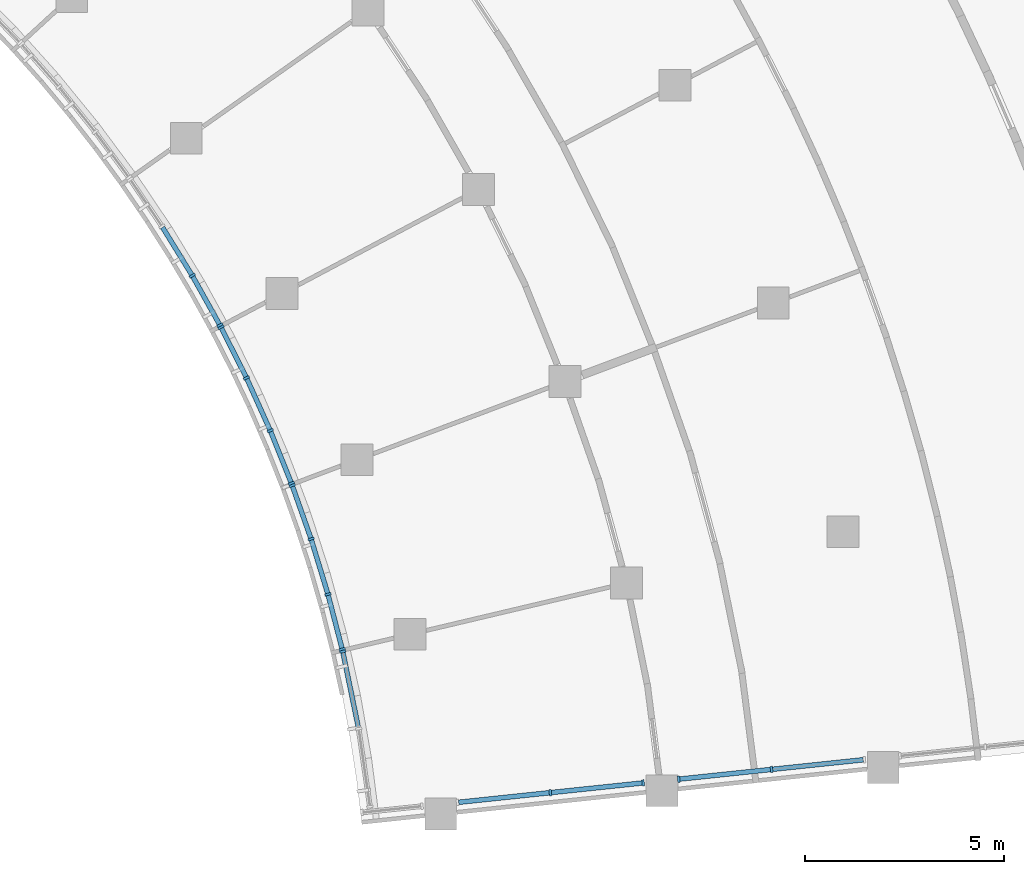
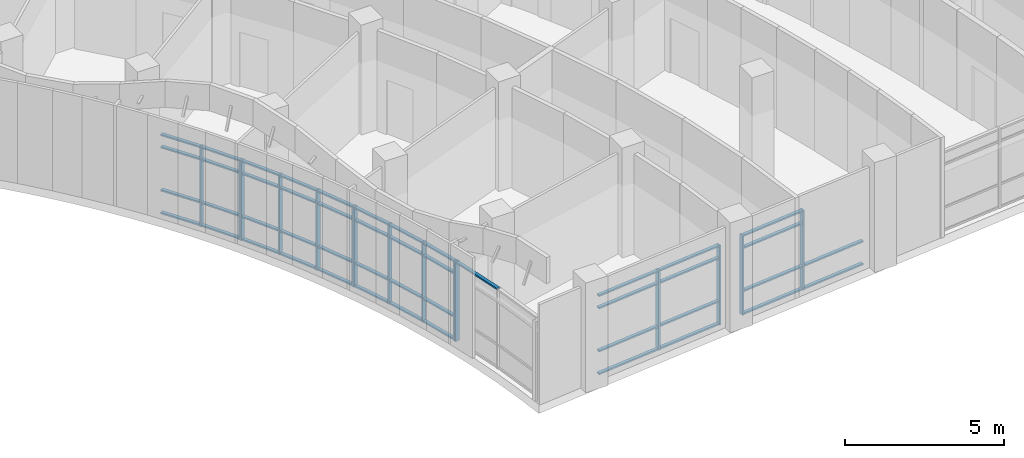
# One storey, part 12 of 109: 62 members, 6 elements without a shape of their own.
"""IFC4 building model written with IfcOpenShell, lengths in metres."""

from ifc_helpers import new_model, si_unit, direction, frame, origin, origin_2d, place, context, subcontext, project, spatial, rectangle, extrude, material, material_profile, profile_set, type_object, element, aggregate, save


model = new_model("IFC4")

# Units and contexts
model_context = context("Model", 3, precision=1e-05, world=origin(), true_north=direction((0.0, 1.0)))
body_context = subcontext(model_context, "Body", "Model", "MODEL_VIEW")
ifc_project = project(units=[si_unit("LENGTHUNIT", "METRE"), si_unit("AREAUNIT", "SQUARE_METRE"), si_unit("VOLUMEUNIT", "CUBIC_METRE"), si_unit("PLANEANGLEUNIT", "RADIAN"), si_unit("MASSUNIT", "GRAM", prefix="KILO")], contexts=[model_context])

# Site, building, storey
site_placement = place(None, origin())
site = spatial("IfcSite", under=ifc_project, at=site_placement, CompositionType="ELEMENT")
building_placement = place(site_placement, origin())
building = spatial("IfcBuilding", under=site, at=building_placement, Name="Bougainvillea Quay General Hospital", CompositionType="ELEMENT")
storey_placement = place(building_placement, frame((0.0, 0.0, 12.60009765625)))
storey = spatial("IfcBuildingStorey", under=building, at=storey_placement, Name="L02", CompositionType="ELEMENT", Elevation=12.60009765625)

# Curtain wall, members
ifc_material_1 = material(Name="Aluminium curtain wall system, powder-coated glazed", Category="aluminium")
curtain_wall_type_1 = type_object("IfcCurtainWallType", Name="Unitised curtain wall CW-2100", PredefinedType="NOTDEFINED", material=ifc_material_1)
curtain_wall_1_placement = place(storey_placement, origin())
curtain_wall_1 = element("IfcCurtainWall", 1, at=curtain_wall_1_placement, inside=storey, type_object=curtain_wall_type_1, Name="CW-E05 a21b4", PredefinedType="NOTDEFINED")
ifc_material_2 = material(Name="Aluminium mullion, powder-coated charcoal", Category="aluminium")
ifc_material_profile_1 = material_profile(ifc_material_2, rectangle(XDim=0.159912109375, YDim=0.06005859375, at=origin_2d()))
ifc_profile_set_1 = profile_set([ifc_material_profile_1], Name="Aluminium mullion, powder-coated charcoal")
member_type_1 = type_object("IfcMemberType", Name="Curtain wall mullion 160x60", PredefinedType="MULLION", material=ifc_profile_set_1)
member_1_placement = place(storey_placement, frame((138.747802734375, 39.31982421875, 0.0), z_axis=(0.0, 0.0, 1.0), x_axis=(0.862713792698, 0.50569250725, 0.0)))
member_1 = element("IfcMember", 2, at=member_1_placement, type_object=member_type_1, Name="CW-E05 mullion 3", PredefinedType="MULLION", context=body_context, shape_type="SweptSolid", body=[
    extrude(rectangle(XDim=0.159912109375, YDim=0.06005859375, at=origin_2d()), origin(), (0.0, 0.0, 1.0), 3.0498046875),
])
member_2_placement = place(storey_placement, frame((139.443115234375, 38.073974609375, 0.0), z_axis=(0.0, 0.0, 1.0), x_axis=(0.873273793396, 0.487229803858, 0.0)))
member_2 = element("IfcMember", 3, at=member_2_placement, type_object=member_type_1, Name="CW-E05 mullion 4", PredefinedType="MULLION", context=body_context, shape_type="SweptSolid", body=[
    extrude(rectangle(XDim=0.159912109375, YDim=0.06005859375, at=origin_2d()), origin(), (0.0, 0.0, 1.0), 3.0498046875),
])

curtain_wall_2_placement = place(storey_placement, origin())
curtain_wall_2 = element("IfcCurtainWall", 4, at=curtain_wall_2_placement, inside=storey, type_object=curtain_wall_type_1, Name="CW-E06 a21b5", PredefinedType="NOTDEFINED")
member_3_placement = place(storey_placement, frame((139.47119140625, 38.02099609375, 0.0), z_axis=(0.0, 0.0, 1.0), x_axis=(0.893204028362, 0.449651602597, 0.0)))
member_3 = element("IfcMember", 5, at=member_3_placement, type_object=member_type_1, Name="CW-E06 mullion 1", PredefinedType="MULLION", context=body_context, shape_type="SweptSolid", body=[
    extrude(rectangle(XDim=0.159912109375, YDim=0.06005859375, at=origin_2d()), origin(), (0.0, 0.0, 1.0), 3.0498046875),
])
member_4_placement = place(storey_placement, frame((140.11279296875, 36.746337890625, 0.0), z_axis=(0.0, 0.0, 1.0), x_axis=(0.902565246474, 0.430553104574, 0.0)))
member_4 = element("IfcMember", 6, at=member_4_placement, type_object=member_type_1, Name="CW-E06 mullion 2", PredefinedType="MULLION", context=body_context, shape_type="SweptSolid", body=[
    extrude(rectangle(XDim=0.159912109375, YDim=0.06005859375, at=origin_2d()), origin(), (0.0, 0.0, 1.0), 3.0498046875),
])
member_5_placement = place(storey_placement, frame((140.7119140625, 35.41845703125, 0.0), z_axis=(0.0, 0.0, 1.0), x_axis=(0.920058711526, 0.391780509145, 0.0)))
member_5 = element("IfcMember", 7, at=member_5_placement, type_object=member_type_1, Name="CW-E06 mullion 3", PredefinedType="MULLION", context=body_context, shape_type="SweptSolid", body=[
    extrude(rectangle(XDim=0.159912109375, YDim=0.06005859375, at=origin_2d()), origin(), (0.0, 0.0, 1.0), 3.0498046875),
])
member_6_placement = place(storey_placement, frame((141.242919921875, 34.093994140625, 0.0), z_axis=(0.0, 0.0, 1.0), x_axis=(0.92818304467, 0.372123951912, 0.0)))
member_6 = element("IfcMember", 8, at=member_6_placement, type_object=member_type_1, Name="CW-E06 mullion 4", PredefinedType="MULLION", context=body_context, shape_type="SweptSolid", body=[
    extrude(rectangle(XDim=0.159912109375, YDim=0.06005859375, at=origin_2d()), origin(), (0.0, 0.0, 1.0), 3.0498046875),
])

curtain_wall_3_placement = place(storey_placement, origin())
curtain_wall_3 = element("IfcCurtainWall", 9, at=curtain_wall_3_placement, inside=storey, type_object=curtain_wall_type_1, Name="CW-E07 a21b6", PredefinedType="NOTDEFINED")
member_7_placement = place(storey_placement, frame((141.26416015625, 34.037841796875, 0.0), z_axis=(0.0, 0.0, 1.0), x_axis=(0.943168537252, 0.332314775986, 0.0)))
member_7 = element("IfcMember", 10, at=member_7_placement, type_object=member_type_1, Name="CW-E07 mullion 1", PredefinedType="MULLION", context=body_context, shape_type="SweptSolid", body=[
    extrude(rectangle(XDim=0.159912109375, YDim=0.06005859375, at=origin_2d()), origin(), (0.0, 0.0, 1.0), 3.0498046875),
])
member_8_placement = place(storey_placement, frame((141.73828125, 32.692138671875, 0.0), z_axis=(0.0, 0.0, 1.0), x_axis=(0.950022917464, 0.3121801664, 0.0)))
member_8 = element("IfcMember", 11, at=member_8_placement, type_object=member_type_1, Name="CW-E07 mullion 2", PredefinedType="MULLION", context=body_context, shape_type="SweptSolid", body=[
    extrude(rectangle(XDim=0.159912109375, YDim=0.06005859375, at=origin_2d()), origin(), (0.0, 0.0, 1.0), 3.0498046875),
])
member_9_placement = place(storey_placement, frame((142.16357421875, 31.298828125, 0.0), z_axis=(0.0, 0.0, 1.0), x_axis=(0.962439443061, 0.271496442776, 0.0)))
member_9 = element("IfcMember", 12, at=member_9_placement, type_object=member_type_1, Name="CW-E07 mullion 3", PredefinedType="MULLION", context=body_context, shape_type="SweptSolid", body=[
    extrude(rectangle(XDim=0.159912109375, YDim=0.06005859375, at=origin_2d()), origin(), (0.0, 0.0, 1.0), 3.0498046875),
])
member_10_placement = place(storey_placement, frame((142.521484375, 29.91748046875, 0.0), z_axis=(0.0, 0.0, 1.0), x_axis=(0.967995971386, 0.250965733479, 0.0)))
member_10 = element("IfcMember", 13, at=member_10_placement, type_object=member_type_1, Name="CW-E07 mullion 4", PredefinedType="MULLION", context=body_context, shape_type="SweptSolid", body=[
    extrude(rectangle(XDim=0.159912109375, YDim=0.06005859375, at=origin_2d()), origin(), (0.0, 0.0, 1.0), 3.0498046875),
])

# Curtain wall, member
curtain_wall_4_placement = place(storey_placement, origin())
curtain_wall_4 = element("IfcCurtainWall", 14, at=curtain_wall_4_placement, inside=storey, type_object=curtain_wall_type_1, Name="CW-E08 a21b7", PredefinedType="NOTDEFINED")
member_11_placement = place(storey_placement, frame((142.53515625, 29.859130859375, 0.0), z_axis=(0.0, 0.0, 1.0), x_axis=(0.979468979674, 0.201594935096, 0.0)))
member_11 = element("IfcMember", 15, at=member_11_placement, type_object=member_type_1, Name="CW-E08 mullion 1", PredefinedType="MULLION", context=body_context, shape_type="SweptSolid", body=[
    extrude(rectangle(XDim=0.159912109375, YDim=0.06005859375, at=origin_2d()), origin(), (0.0, 0.0, 1.0), 3.0498046875),
])

# Curtain wall, members
curtain_wall_type_2 = type_object("IfcCurtainWallType", Name="Unitised curtain wall CW-2380", PredefinedType="NOTDEFINED", material=ifc_material_1)
curtain_wall_5_placement = place(storey_placement, origin())
curtain_wall_5 = element("IfcCurtainWall", 16, at=curtain_wall_5_placement, inside=storey, type_object=curtain_wall_type_2, Name="CW-AE 01", PredefinedType="NOTDEFINED")
member_12_placement = place(storey_placement, frame((147.76171875, 26.304443359375, 0.0), z_axis=(0.0, 0.0, 1.0), x_axis=(-0.104527173765, 0.9945220309, 0.0)))
member_12 = element("IfcMember", 17, at=member_12_placement, type_object=member_type_1, Name="CW-AE mullion 2", PredefinedType="MULLION", context=body_context, shape_type="SweptSolid", body=[
    extrude(rectangle(XDim=0.159912109375, YDim=0.06005859375, at=origin_2d()), origin(), (0.0, 0.0, 1.0), 3.0498046875),
])
member_13_placement = place(storey_placement, frame((150.0986328125, 26.550048828125, 0.0), z_axis=(0.0, 0.0, 1.0), x_axis=(-0.104527173765, 0.9945220309, 0.0)))
member_13 = element("IfcMember", 18, at=member_13_placement, type_object=member_type_1, Name="CW-AE mullion 3", PredefinedType="MULLION", context=body_context, shape_type="SweptSolid", body=[
    extrude(rectangle(XDim=0.159912109375, YDim=0.06005859375, at=origin_2d()), origin(), (0.0, 0.0, 1.0), 3.0498046875),
])

curtain_wall_6_placement = place(storey_placement, origin())
curtain_wall_6 = element("IfcCurtainWall", 19, at=curtain_wall_6_placement, inside=storey, type_object=curtain_wall_type_2, Name="CW-AE 02", PredefinedType="NOTDEFINED")
member_14_placement = place(storey_placement, frame((150.99365234375, 26.64404296875, 0.0), z_axis=(0.0, 0.0, 1.0), x_axis=(-0.104527173765, 0.9945220309, 0.0)))
member_14 = element("IfcMember", 20, at=member_14_placement, type_object=member_type_1, Name="CW-AE mullion 1", PredefinedType="MULLION", context=body_context, shape_type="SweptSolid", body=[
    extrude(rectangle(XDim=0.159912109375, YDim=0.06005859375, at=origin_2d()), origin(), (0.0, 0.0, 1.0), 3.0498046875),
])
member_15_placement = place(storey_placement, frame((153.33056640625, 26.8896484375, 0.0), z_axis=(0.0, 0.0, 1.0), x_axis=(-0.104527173765, 0.9945220309, 0.0)))
member_15 = element("IfcMember", 21, at=member_15_placement, type_object=member_type_1, Name="CW-AE mullion 2", PredefinedType="MULLION", context=body_context, shape_type="SweptSolid", body=[
    extrude(rectangle(XDim=0.159912109375, YDim=0.06005859375, at=origin_2d()), origin(), (0.0, 0.0, 1.0), 3.0498046875),
])

# Member
ifc_material_3 = material(Name="Aluminium transom, powder-coated charcoal", Category="aluminium")
ifc_material_profile_2 = material_profile(ifc_material_3, rectangle(XDim=0.1201171875, YDim=0.06005859375, at=origin_2d()))
ifc_profile_set_2 = profile_set([ifc_material_profile_2], Name="Aluminium transom, powder-coated charcoal")
member_type_2 = type_object("IfcMemberType", Name="Curtain wall transom 120x60", PredefinedType="USERDEFINED", material=ifc_profile_set_2)
member_16_placement = place(storey_placement, frame((138.000244140625, 40.535400390625, 0.02978515625), z_axis=(0.523921907365, -0.851766303034, 0.0), x_axis=(0.851766303034, 0.523921907365, 0.0)))
member_16 = element("IfcMember", 22, at=member_16_placement, type_object=member_type_2, Name="CW-E05 transom 2.1", ObjectType="TRANSOM", PredefinedType="USERDEFINED", context=body_context, shape_type="SweptSolid", body=[
    extrude(rectangle(XDim=0.1201171875, YDim=0.06005859375, at=origin_2d()), origin(), (0.0, 0.0, 1.0), 1.39697265625),
])

member_17_placement = place(storey_placement, frame((138.000244140625, 40.535400390625, 0.89990234375), z_axis=(0.523921907365, -0.851766303034, 0.0), x_axis=(0.851766303034, 0.523921907365, 0.0)))
member_17 = element("IfcMember", 23, at=member_17_placement, type_object=member_type_2, Name="CW-E05 transom 2.2", ObjectType="TRANSOM", PredefinedType="USERDEFINED", context=body_context, shape_type="SweptSolid", body=[
    extrude(rectangle(XDim=0.1201171875, YDim=0.06005859375, at=origin_2d()), origin(), (0.0, 0.0, 1.0), 1.39697265625),
])

member_18_placement = place(storey_placement, frame((138.000244140625, 40.535400390625, 2.5498046875), z_axis=(0.523921907365, -0.851766303034, 0.0), x_axis=(0.851766303034, 0.523921907365, 0.0)))
member_18 = element("IfcMember", 24, at=member_18_placement, type_object=member_type_2, Name="CW-E05 transom 2.3", ObjectType="TRANSOM", PredefinedType="USERDEFINED", context=body_context, shape_type="SweptSolid", body=[
    extrude(rectangle(XDim=0.1201171875, YDim=0.06005859375, at=origin_2d()), origin(), (0.0, 0.0, 1.0), 1.39697265625),
])

member_19_placement = place(storey_placement, frame((138.000244140625, 40.535400390625, 3.02001953125), z_axis=(0.523921907365, -0.851766303034, 0.0), x_axis=(0.851766303034, 0.523921907365, 0.0)))
member_19 = element("IfcMember", 25, at=member_19_placement, type_object=member_type_2, Name="CW-E05 transom 2.4", ObjectType="TRANSOM", PredefinedType="USERDEFINED", context=body_context, shape_type="SweptSolid", body=[
    extrude(rectangle(XDim=0.1201171875, YDim=0.06005859375, at=origin_2d()), origin(), (0.0, 0.0, 1.0), 1.39697265625),
])

member_20_placement = place(storey_placement, frame((138.762451171875, 39.293701171875, 0.02978515625), z_axis=(0.487264805137, -0.873254264046, 0.0), x_axis=(0.873254264046, 0.487264805137, 0.0)))
member_20 = element("IfcMember", 26, at=member_20_placement, type_object=member_type_2, Name="CW-E05 transom 3.1", ObjectType="TRANSOM", PredefinedType="USERDEFINED", context=body_context, shape_type="SweptSolid", body=[
    extrude(rectangle(XDim=0.1201171875, YDim=0.06005859375, at=origin_2d()), origin(), (0.0, 0.0, 1.0), 1.366943359375),
])

member_21_placement = place(storey_placement, frame((138.762451171875, 39.293701171875, 0.89990234375), z_axis=(0.487264805137, -0.873254264046, 0.0), x_axis=(0.873254264046, 0.487264805137, 0.0)))
member_21 = element("IfcMember", 27, at=member_21_placement, type_object=member_type_2, Name="CW-E05 transom 3.2", ObjectType="TRANSOM", PredefinedType="USERDEFINED", context=body_context, shape_type="SweptSolid", body=[
    extrude(rectangle(XDim=0.1201171875, YDim=0.06005859375, at=origin_2d()), origin(), (0.0, 0.0, 1.0), 1.366943359375),
])

member_22_placement = place(storey_placement, frame((138.762451171875, 39.293701171875, 2.5498046875), z_axis=(0.487264805137, -0.873254264046, 0.0), x_axis=(0.873254264046, 0.487264805137, 0.0)))
member_22 = element("IfcMember", 28, at=member_22_placement, type_object=member_type_2, Name="CW-E05 transom 3.3", ObjectType="TRANSOM", PredefinedType="USERDEFINED", context=body_context, shape_type="SweptSolid", body=[
    extrude(rectangle(XDim=0.1201171875, YDim=0.06005859375, at=origin_2d()), origin(), (0.0, 0.0, 1.0), 1.366943359375),
])

member_23_placement = place(storey_placement, frame((138.762451171875, 39.293701171875, 3.02001953125), z_axis=(0.487264805137, -0.873254264046, 0.0), x_axis=(0.873254264046, 0.487264805137, 0.0)))
member_23 = element("IfcMember", 29, at=member_23_placement, type_object=member_type_2, Name="CW-E05 transom 3.4", ObjectType="TRANSOM", PredefinedType="USERDEFINED", context=body_context, shape_type="SweptSolid", body=[
    extrude(rectangle(XDim=0.1201171875, YDim=0.06005859375, at=origin_2d()), origin(), (0.0, 0.0, 1.0), 1.366943359375),
])

aggregate(curtain_wall_1, [member_1, member_2, member_16, member_17, member_18, member_19, member_20, member_21, member_22, member_23])

member_24_placement = place(storey_placement, frame((139.484619140625, 37.994140625, 0.02978515625), z_axis=(0.449712233761, -0.893173503193, 0.0), x_axis=(0.893173503193, 0.449712233761, 0.0)))
member_24 = element("IfcMember", 30, at=member_24_placement, type_object=member_type_2, Name="CW-E06 transom 1.1", ObjectType="TRANSOM", PredefinedType="USERDEFINED", context=body_context, shape_type="SweptSolid", body=[
    extrude(rectangle(XDim=0.1201171875, YDim=0.06005859375, at=origin_2d()), origin(), (0.0, 0.0, 1.0), 1.366943359375),
])

member_25_placement = place(storey_placement, frame((139.484619140625, 37.994140625, 0.89990234375), z_axis=(0.449712233761, -0.893173503193, 0.0), x_axis=(0.893173503193, 0.449712233761, 0.0)))
member_25 = element("IfcMember", 31, at=member_25_placement, type_object=member_type_2, Name="CW-E06 transom 1.2", ObjectType="TRANSOM", PredefinedType="USERDEFINED", context=body_context, shape_type="SweptSolid", body=[
    extrude(rectangle(XDim=0.1201171875, YDim=0.06005859375, at=origin_2d()), origin(), (0.0, 0.0, 1.0), 1.366943359375),
])

member_26_placement = place(storey_placement, frame((139.484619140625, 37.994140625, 2.5498046875), z_axis=(0.449712233761, -0.893173503193, 0.0), x_axis=(0.893173503193, 0.449712233761, 0.0)))
member_26 = element("IfcMember", 32, at=member_26_placement, type_object=member_type_2, Name="CW-E06 transom 1.3", ObjectType="TRANSOM", PredefinedType="USERDEFINED", context=body_context, shape_type="SweptSolid", body=[
    extrude(rectangle(XDim=0.1201171875, YDim=0.06005859375, at=origin_2d()), origin(), (0.0, 0.0, 1.0), 1.366943359375),
])

member_27_placement = place(storey_placement, frame((139.484619140625, 37.994140625, 3.02001953125), z_axis=(0.449712233761, -0.893173503193, 0.0), x_axis=(0.893173503193, 0.449712233761, 0.0)))
member_27 = element("IfcMember", 33, at=member_27_placement, type_object=member_type_2, Name="CW-E06 transom 1.4", ObjectType="TRANSOM", PredefinedType="USERDEFINED", context=body_context, shape_type="SweptSolid", body=[
    extrude(rectangle(XDim=0.1201171875, YDim=0.06005859375, at=origin_2d()), origin(), (0.0, 0.0, 1.0), 1.366943359375),
])

member_28_placement = place(storey_placement, frame((140.125244140625, 36.718994140625, 0.02978515625), z_axis=(0.411272928094, -0.911512248199, 0.0), x_axis=(0.911512248199, 0.411272928094, 0.0)))
member_28 = element("IfcMember", 34, at=member_28_placement, type_object=member_type_2, Name="CW-E06 transom 2.1", ObjectType="TRANSOM", PredefinedType="USERDEFINED", context=body_context, shape_type="SweptSolid", body=[
    extrude(rectangle(XDim=0.1201171875, YDim=0.06005859375, at=origin_2d()), origin(), (0.0, 0.0, 1.0), 1.396728515625),
])

member_29_placement = place(storey_placement, frame((140.125244140625, 36.718994140625, 0.89990234375), z_axis=(0.411272928094, -0.911512248199, 0.0), x_axis=(0.911512248199, 0.411272928094, 0.0)))
member_29 = element("IfcMember", 35, at=member_29_placement, type_object=member_type_2, Name="CW-E06 transom 2.2", ObjectType="TRANSOM", PredefinedType="USERDEFINED", context=body_context, shape_type="SweptSolid", body=[
    extrude(rectangle(XDim=0.1201171875, YDim=0.06005859375, at=origin_2d()), origin(), (0.0, 0.0, 1.0), 1.396728515625),
])

member_30_placement = place(storey_placement, frame((140.125244140625, 36.718994140625, 2.5498046875), z_axis=(0.411272928094, -0.911512248199, 0.0), x_axis=(0.911512248199, 0.411272928094, 0.0)))
member_30 = element("IfcMember", 36, at=member_30_placement, type_object=member_type_2, Name="CW-E06 transom 2.3", ObjectType="TRANSOM", PredefinedType="USERDEFINED", context=body_context, shape_type="SweptSolid", body=[
    extrude(rectangle(XDim=0.1201171875, YDim=0.06005859375, at=origin_2d()), origin(), (0.0, 0.0, 1.0), 1.396728515625),
])

member_31_placement = place(storey_placement, frame((140.125244140625, 36.718994140625, 3.02001953125), z_axis=(0.411272928094, -0.911512248199, 0.0), x_axis=(0.911512248199, 0.411272928094, 0.0)))
member_31 = element("IfcMember", 37, at=member_31_placement, type_object=member_type_2, Name="CW-E06 transom 2.4", ObjectType="TRANSOM", PredefinedType="USERDEFINED", context=body_context, shape_type="SweptSolid", body=[
    extrude(rectangle(XDim=0.1201171875, YDim=0.06005859375, at=origin_2d()), origin(), (0.0, 0.0, 1.0), 1.396728515625),
])

member_32_placement = place(storey_placement, frame((140.72314453125, 35.390625, 0.02978515625), z_axis=(0.37203726485, -0.92821779425, 0.0), x_axis=(0.92821779425, 0.37203726485, 0.0)))
member_32 = element("IfcMember", 38, at=member_32_placement, type_object=member_type_2, Name="CW-E06 transom 3.1", ObjectType="TRANSOM", PredefinedType="USERDEFINED", context=body_context, shape_type="SweptSolid", body=[
    extrude(rectangle(XDim=0.1201171875, YDim=0.06005859375, at=origin_2d()), origin(), (0.0, 0.0, 1.0), 1.366943359375),
])

member_33_placement = place(storey_placement, frame((140.72314453125, 35.390625, 0.89990234375), z_axis=(0.37203726485, -0.92821779425, 0.0), x_axis=(0.92821779425, 0.37203726485, 0.0)))
member_33 = element("IfcMember", 39, at=member_33_placement, type_object=member_type_2, Name="CW-E06 transom 3.2", ObjectType="TRANSOM", PredefinedType="USERDEFINED", context=body_context, shape_type="SweptSolid", body=[
    extrude(rectangle(XDim=0.1201171875, YDim=0.06005859375, at=origin_2d()), origin(), (0.0, 0.0, 1.0), 1.366943359375),
])

member_34_placement = place(storey_placement, frame((140.72314453125, 35.390625, 2.5498046875), z_axis=(0.37203726485, -0.92821779425, 0.0), x_axis=(0.92821779425, 0.37203726485, 0.0)))
member_34 = element("IfcMember", 40, at=member_34_placement, type_object=member_type_2, Name="CW-E06 transom 3.3", ObjectType="TRANSOM", PredefinedType="USERDEFINED", context=body_context, shape_type="SweptSolid", body=[
    extrude(rectangle(XDim=0.1201171875, YDim=0.06005859375, at=origin_2d()), origin(), (0.0, 0.0, 1.0), 1.366943359375),
])

member_35_placement = place(storey_placement, frame((140.72314453125, 35.390625, 3.02001953125), z_axis=(0.37203726485, -0.92821779425, 0.0), x_axis=(0.92821779425, 0.37203726485, 0.0)))
member_35 = element("IfcMember", 41, at=member_35_placement, type_object=member_type_2, Name="CW-E06 transom 3.4", ObjectType="TRANSOM", PredefinedType="USERDEFINED", context=body_context, shape_type="SweptSolid", body=[
    extrude(rectangle(XDim=0.1201171875, YDim=0.06005859375, at=origin_2d()), origin(), (0.0, 0.0, 1.0), 1.366943359375),
])

aggregate(curtain_wall_2, [member_3, member_4, member_5, member_6, member_24, member_25, member_26, member_27, member_28, member_29, member_30, member_31, member_32, member_33, member_34, member_35])

member_36_placement = place(storey_placement, frame((141.27392578125, 34.009521484375, 0.02978515625), z_axis=(0.332418322069, -0.943132047569, 0.0), x_axis=(0.943132047569, 0.332418322069, 0.0)))
member_36 = element("IfcMember", 42, at=member_36_placement, type_object=member_type_2, Name="CW-E07 transom 1.1", ObjectType="TRANSOM", PredefinedType="USERDEFINED", context=body_context, shape_type="SweptSolid", body=[
    extrude(rectangle(XDim=0.1201171875, YDim=0.06005859375, at=origin_2d()), origin(), (0.0, 0.0, 1.0), 1.36669921875),
])

member_37_placement = place(storey_placement, frame((141.27392578125, 34.009521484375, 0.89990234375), z_axis=(0.332418322069, -0.943132047569, 0.0), x_axis=(0.943132047569, 0.332418322069, 0.0)))
member_37 = element("IfcMember", 43, at=member_37_placement, type_object=member_type_2, Name="CW-E07 transom 1.2", ObjectType="TRANSOM", PredefinedType="USERDEFINED", context=body_context, shape_type="SweptSolid", body=[
    extrude(rectangle(XDim=0.1201171875, YDim=0.06005859375, at=origin_2d()), origin(), (0.0, 0.0, 1.0), 1.36669921875),
])

member_38_placement = place(storey_placement, frame((141.27392578125, 34.009521484375, 2.5498046875), z_axis=(0.332418322069, -0.943132047569, 0.0), x_axis=(0.943132047569, 0.332418322069, 0.0)))
member_38 = element("IfcMember", 44, at=member_38_placement, type_object=member_type_2, Name="CW-E07 transom 1.3", ObjectType="TRANSOM", PredefinedType="USERDEFINED", context=body_context, shape_type="SweptSolid", body=[
    extrude(rectangle(XDim=0.1201171875, YDim=0.06005859375, at=origin_2d()), origin(), (0.0, 0.0, 1.0), 1.36669921875),
])

member_39_placement = place(storey_placement, frame((141.27392578125, 34.009521484375, 3.02001953125), z_axis=(0.332418322069, -0.943132047569, 0.0), x_axis=(0.943132047569, 0.332418322069, 0.0)))
member_39 = element("IfcMember", 45, at=member_39_placement, type_object=member_type_2, Name="CW-E07 transom 1.4", ObjectType="TRANSOM", PredefinedType="USERDEFINED", context=body_context, shape_type="SweptSolid", body=[
    extrude(rectangle(XDim=0.1201171875, YDim=0.06005859375, at=origin_2d()), origin(), (0.0, 0.0, 1.0), 1.36669921875),
])

member_40_placement = place(storey_placement, frame((141.7470703125, 32.66357421875, 0.02978515625), z_axis=(0.291849999923, -0.956464101545, 0.0), x_axis=(0.956464101545, 0.291849999923, 0.0)))
member_40 = element("IfcMember", 46, at=member_40_placement, type_object=member_type_2, Name="CW-E07 transom 2.1", ObjectType="TRANSOM", PredefinedType="USERDEFINED", context=body_context, shape_type="SweptSolid", body=[
    extrude(rectangle(XDim=0.1201171875, YDim=0.06005859375, at=origin_2d()), origin(), (0.0, 0.0, 1.0), 1.39697265625),
])

member_41_placement = place(storey_placement, frame((141.7470703125, 32.66357421875, 0.89990234375), z_axis=(0.291849999923, -0.956464101545, 0.0), x_axis=(0.956464101545, 0.291849999923, 0.0)))
member_41 = element("IfcMember", 47, at=member_41_placement, type_object=member_type_2, Name="CW-E07 transom 2.2", ObjectType="TRANSOM", PredefinedType="USERDEFINED", context=body_context, shape_type="SweptSolid", body=[
    extrude(rectangle(XDim=0.1201171875, YDim=0.06005859375, at=origin_2d()), origin(), (0.0, 0.0, 1.0), 1.39697265625),
])

member_42_placement = place(storey_placement, frame((141.7470703125, 32.66357421875, 2.5498046875), z_axis=(0.291849999923, -0.956464101545, 0.0), x_axis=(0.956464101545, 0.291849999923, 0.0)))
member_42 = element("IfcMember", 48, at=member_42_placement, type_object=member_type_2, Name="CW-E07 transom 2.3", ObjectType="TRANSOM", PredefinedType="USERDEFINED", context=body_context, shape_type="SweptSolid", body=[
    extrude(rectangle(XDim=0.1201171875, YDim=0.06005859375, at=origin_2d()), origin(), (0.0, 0.0, 1.0), 1.39697265625),
])

member_43_placement = place(storey_placement, frame((141.7470703125, 32.66357421875, 3.02001953125), z_axis=(0.291849999923, -0.956464101545, 0.0), x_axis=(0.956464101545, 0.291849999923, 0.0)))
member_43 = element("IfcMember", 49, at=member_43_placement, type_object=member_type_2, Name="CW-E07 transom 2.4", ObjectType="TRANSOM", PredefinedType="USERDEFINED", context=body_context, shape_type="SweptSolid", body=[
    extrude(rectangle(XDim=0.1201171875, YDim=0.06005859375, at=origin_2d()), origin(), (0.0, 0.0, 1.0), 1.39697265625),
])

member_44_placement = place(storey_placement, frame((142.1708984375, 31.269775390625, 0.02978515625), z_axis=(0.251098509597, -0.967961537706, 0.0), x_axis=(0.967961537706, 0.251098509597, 0.0)))
member_44 = element("IfcMember", 50, at=member_44_placement, type_object=member_type_2, Name="CW-E07 transom 3.1", ObjectType="TRANSOM", PredefinedType="USERDEFINED", context=body_context, shape_type="SweptSolid", body=[
    extrude(rectangle(XDim=0.1201171875, YDim=0.06005859375, at=origin_2d()), origin(), (0.0, 0.0, 1.0), 1.366943359375),
])

member_45_placement = place(storey_placement, frame((142.1708984375, 31.269775390625, 0.89990234375), z_axis=(0.251098509597, -0.967961537706, 0.0), x_axis=(0.967961537706, 0.251098509597, 0.0)))
member_45 = element("IfcMember", 51, at=member_45_placement, type_object=member_type_2, Name="CW-E07 transom 3.2", ObjectType="TRANSOM", PredefinedType="USERDEFINED", context=body_context, shape_type="SweptSolid", body=[
    extrude(rectangle(XDim=0.1201171875, YDim=0.06005859375, at=origin_2d()), origin(), (0.0, 0.0, 1.0), 1.366943359375),
])

member_46_placement = place(storey_placement, frame((142.1708984375, 31.269775390625, 2.5498046875), z_axis=(0.251098509597, -0.967961537706, 0.0), x_axis=(0.967961537706, 0.251098509597, 0.0)))
member_46 = element("IfcMember", 52, at=member_46_placement, type_object=member_type_2, Name="CW-E07 transom 3.3", ObjectType="TRANSOM", PredefinedType="USERDEFINED", context=body_context, shape_type="SweptSolid", body=[
    extrude(rectangle(XDim=0.1201171875, YDim=0.06005859375, at=origin_2d()), origin(), (0.0, 0.0, 1.0), 1.366943359375),
])

member_47_placement = place(storey_placement, frame((142.1708984375, 31.269775390625, 3.02001953125), z_axis=(0.251098509597, -0.967961537706, 0.0), x_axis=(0.967961537706, 0.251098509597, 0.0)))
member_47 = element("IfcMember", 53, at=member_47_placement, type_object=member_type_2, Name="CW-E07 transom 3.4", ObjectType="TRANSOM", PredefinedType="USERDEFINED", context=body_context, shape_type="SweptSolid", body=[
    extrude(rectangle(XDim=0.1201171875, YDim=0.06005859375, at=origin_2d()), origin(), (0.0, 0.0, 1.0), 1.366943359375),
])

aggregate(curtain_wall_3, [member_7, member_8, member_9, member_10, member_36, member_37, member_38, member_39, member_40, member_41, member_42, member_43, member_44, member_45, member_46, member_47])

member_48_placement = place(storey_placement, frame((142.541259765625, 29.829833984375, 3.02001953125), z_axis=(0.201502639399, -0.979487971501, 0.0), x_axis=(0.979487971501, 0.201502639399, 0.0)))
member_48 = element("IfcMember", 54, at=member_48_placement, type_object=member_type_2, Name="CW-E08 transom 1.4", ObjectType="TRANSOM", PredefinedType="USERDEFINED", context=body_context, shape_type="SweptSolid", body=[
    extrude(rectangle(XDim=0.1201171875, YDim=0.06005859375, at=origin_2d()), origin(), (0.0, 0.0, 1.0), 1.92529296875),
])

aggregate(curtain_wall_4, [member_11, member_48])

member_49_placement = place(storey_placement, frame((145.45458984375, 26.061767578125, 0.02978515625), z_axis=(0.994515379813, 0.104590436063, 0.0), x_axis=(-0.104590436063, 0.994515379813, 0.0)))
member_49 = element("IfcMember", 55, at=member_49_placement, type_object=member_type_2, Name="CW-AE transom 1.1", ObjectType="TRANSOM", PredefinedType="USERDEFINED", context=body_context, shape_type="SweptSolid", body=[
    extrude(rectangle(XDim=0.1201171875, YDim=0.06005859375, at=origin_2d()), origin(), (0.0, 0.0, 1.0), 2.289794921875),
])

member_50_placement = place(storey_placement, frame((145.45458984375, 26.061767578125, 0.89990234375), z_axis=(0.994515379813, 0.104590436063, 0.0), x_axis=(-0.104590436063, 0.994515379813, 0.0)))
member_50 = element("IfcMember", 56, at=member_50_placement, type_object=member_type_2, Name="CW-AE transom 1.2", ObjectType="TRANSOM", PredefinedType="USERDEFINED", context=body_context, shape_type="SweptSolid", body=[
    extrude(rectangle(XDim=0.1201171875, YDim=0.06005859375, at=origin_2d()), origin(), (0.0, 0.0, 1.0), 2.289794921875),
])

member_51_placement = place(storey_placement, frame((145.45458984375, 26.061767578125, 2.5498046875), z_axis=(0.994515379813, 0.104590436063, 0.0), x_axis=(-0.104590436063, 0.994515379813, 0.0)))
member_51 = element("IfcMember", 57, at=member_51_placement, type_object=member_type_2, Name="CW-AE transom 1.3", ObjectType="TRANSOM", PredefinedType="USERDEFINED", context=body_context, shape_type="SweptSolid", body=[
    extrude(rectangle(XDim=0.1201171875, YDim=0.06005859375, at=origin_2d()), origin(), (0.0, 0.0, 1.0), 2.289794921875),
])

member_52_placement = place(storey_placement, frame((145.45458984375, 26.061767578125, 3.02001953125), z_axis=(0.994515379813, 0.104590436063, 0.0), x_axis=(-0.104590436063, 0.994515379813, 0.0)))
member_52 = element("IfcMember", 58, at=member_52_placement, type_object=member_type_2, Name="CW-AE transom 1.4", ObjectType="TRANSOM", PredefinedType="USERDEFINED", context=body_context, shape_type="SweptSolid", body=[
    extrude(rectangle(XDim=0.1201171875, YDim=0.06005859375, at=origin_2d()), origin(), (0.0, 0.0, 1.0), 2.289794921875),
])

member_53_placement = place(storey_placement, frame((147.79150390625, 26.3076171875, 0.02978515625), z_axis=(0.994526464215, 0.104484984448, 0.0), x_axis=(-0.104484984448, 0.994526464215, 0.0)))
member_53 = element("IfcMember", 59, at=member_53_placement, type_object=member_type_2, Name="CW-AE transom 2.1", ObjectType="TRANSOM", PredefinedType="USERDEFINED", context=body_context, shape_type="SweptSolid", body=[
    extrude(rectangle(XDim=0.1201171875, YDim=0.06005859375, at=origin_2d()), origin(), (0.0, 0.0, 1.0), 2.289794921875),
])

member_54_placement = place(storey_placement, frame((147.79150390625, 26.3076171875, 0.89990234375), z_axis=(0.994526464215, 0.104484984448, 0.0), x_axis=(-0.104484984448, 0.994526464215, 0.0)))
member_54 = element("IfcMember", 60, at=member_54_placement, type_object=member_type_2, Name="CW-AE transom 2.2", ObjectType="TRANSOM", PredefinedType="USERDEFINED", context=body_context, shape_type="SweptSolid", body=[
    extrude(rectangle(XDim=0.1201171875, YDim=0.06005859375, at=origin_2d()), origin(), (0.0, 0.0, 1.0), 2.289794921875),
])

member_55_placement = place(storey_placement, frame((147.79150390625, 26.3076171875, 2.5498046875), z_axis=(0.994526464215, 0.104484984448, 0.0), x_axis=(-0.104484984448, 0.994526464215, 0.0)))
member_55 = element("IfcMember", 61, at=member_55_placement, type_object=member_type_2, Name="CW-AE transom 2.3", ObjectType="TRANSOM", PredefinedType="USERDEFINED", context=body_context, shape_type="SweptSolid", body=[
    extrude(rectangle(XDim=0.1201171875, YDim=0.06005859375, at=origin_2d()), origin(), (0.0, 0.0, 1.0), 2.289794921875),
])

member_56_placement = place(storey_placement, frame((147.79150390625, 26.3076171875, 3.02001953125), z_axis=(0.994526464215, 0.104484984448, 0.0), x_axis=(-0.104484984448, 0.994526464215, 0.0)))
member_56 = element("IfcMember", 62, at=member_56_placement, type_object=member_type_2, Name="CW-AE transom 2.4", ObjectType="TRANSOM", PredefinedType="USERDEFINED", context=body_context, shape_type="SweptSolid", body=[
    extrude(rectangle(XDim=0.1201171875, YDim=0.06005859375, at=origin_2d()), origin(), (0.0, 0.0, 1.0), 2.289794921875),
])

aggregate(curtain_wall_5, [member_12, member_13, member_49, member_50, member_51, member_52, member_53, member_54, member_55, member_56])

member_57_placement = place(storey_placement, frame((151.0234375, 26.647216796875, 0.02978515625), z_axis=(0.994526464215, 0.104484984448, 0.0), x_axis=(-0.104484984448, 0.994526464215, 0.0)))
member_57 = element("IfcMember", 63, at=member_57_placement, type_object=member_type_2, Name="CW-AE transom 1.1", ObjectType="TRANSOM", PredefinedType="USERDEFINED", context=body_context, shape_type="SweptSolid", body=[
    extrude(rectangle(XDim=0.1201171875, YDim=0.06005859375, at=origin_2d()), origin(), (0.0, 0.0, 1.0), 2.289794921875),
])

member_58_placement = place(storey_placement, frame((151.0234375, 26.647216796875, 0.89990234375), z_axis=(0.994526464215, 0.104484984448, 0.0), x_axis=(-0.104484984448, 0.994526464215, 0.0)))
member_58 = element("IfcMember", 64, at=member_58_placement, type_object=member_type_2, Name="CW-AE transom 1.2", ObjectType="TRANSOM", PredefinedType="USERDEFINED", context=body_context, shape_type="SweptSolid", body=[
    extrude(rectangle(XDim=0.1201171875, YDim=0.06005859375, at=origin_2d()), origin(), (0.0, 0.0, 1.0), 2.289794921875),
])

member_59_placement = place(storey_placement, frame((151.0234375, 26.647216796875, 2.5498046875), z_axis=(0.994526464215, 0.104484984448, 0.0), x_axis=(-0.104484984448, 0.994526464215, 0.0)))
member_59 = element("IfcMember", 65, at=member_59_placement, type_object=member_type_2, Name="CW-AE transom 1.3", ObjectType="TRANSOM", PredefinedType="USERDEFINED", context=body_context, shape_type="SweptSolid", body=[
    extrude(rectangle(XDim=0.1201171875, YDim=0.06005859375, at=origin_2d()), origin(), (0.0, 0.0, 1.0), 2.289794921875),
])

member_60_placement = place(storey_placement, frame((151.0234375, 26.647216796875, 3.02001953125), z_axis=(0.994526464215, 0.104484984448, 0.0), x_axis=(-0.104484984448, 0.994526464215, 0.0)))
member_60 = element("IfcMember", 66, at=member_60_placement, type_object=member_type_2, Name="CW-AE transom 1.4", ObjectType="TRANSOM", PredefinedType="USERDEFINED", context=body_context, shape_type="SweptSolid", body=[
    extrude(rectangle(XDim=0.1201171875, YDim=0.06005859375, at=origin_2d()), origin(), (0.0, 0.0, 1.0), 2.289794921875),
])

member_61_placement = place(storey_placement, frame((153.360595703125, 26.892822265625, 0.02978515625), z_axis=(0.994526464215, 0.104484984448, 0.0), x_axis=(-0.104484984448, 0.994526464215, 0.0)))
member_61 = element("IfcMember", 67, at=member_61_placement, type_object=member_type_2, Name="CW-AE transom 2.1", ObjectType="TRANSOM", PredefinedType="USERDEFINED", context=body_context, shape_type="SweptSolid", body=[
    extrude(rectangle(XDim=0.1201171875, YDim=0.06005859375, at=origin_2d()), origin(), (0.0, 0.0, 1.0), 2.289794921875),
])

member_62_placement = place(storey_placement, frame((153.360595703125, 26.892822265625, 0.89990234375), z_axis=(0.994526464215, 0.104484984448, 0.0), x_axis=(-0.104484984448, 0.994526464215, 0.0)))
member_62 = element("IfcMember", 68, at=member_62_placement, type_object=member_type_2, Name="CW-AE transom 2.2", ObjectType="TRANSOM", PredefinedType="USERDEFINED", context=body_context, shape_type="SweptSolid", body=[
    extrude(rectangle(XDim=0.1201171875, YDim=0.06005859375, at=origin_2d()), origin(), (0.0, 0.0, 1.0), 2.289794921875),
])

aggregate(curtain_wall_6, [member_14, member_15, member_57, member_58, member_59, member_60, member_61, member_62])

save(model, "model.ifc")
